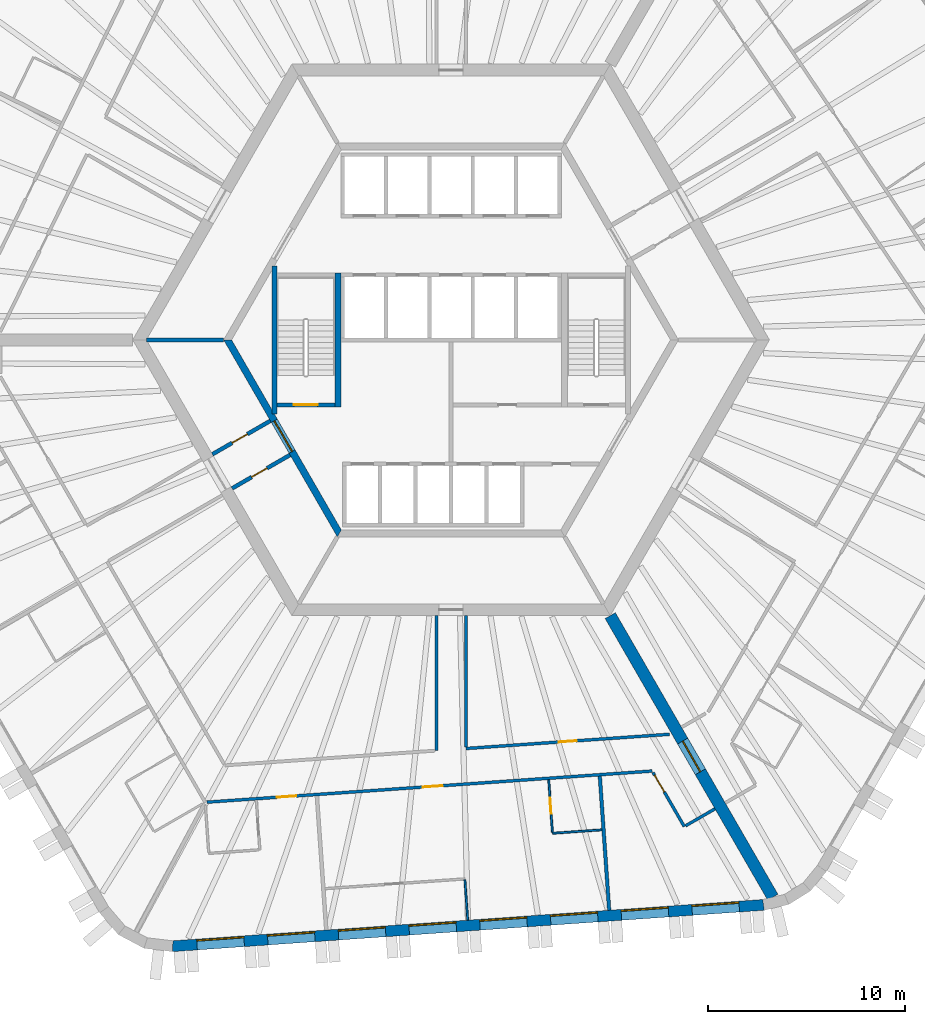
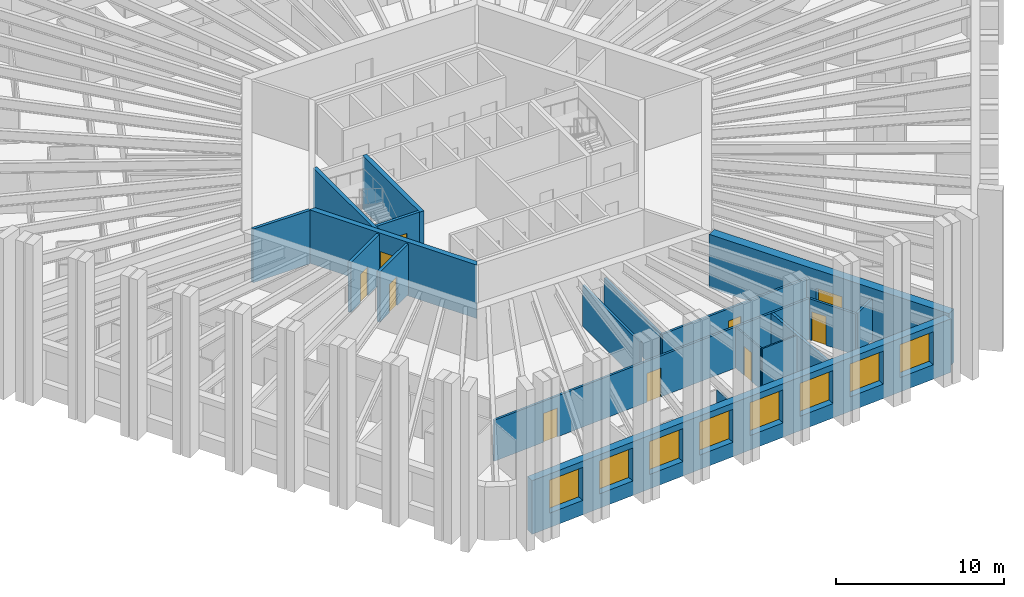
# One storey, part 4 of 12: 19 walls, 10 doors, 8 windows, 18 openings.
"""IFC4 building model written with IfcOpenShell, lengths in metres."""

from ifc_helpers import new_model, si_unit, direction, frame, frame_2d, origin, place, context, subcontext, project, spatial, polyline, rectangle, outline, extrude, material, layer, layer_set, type_object, element, fill, save


model = new_model("IFC4")

# Units and contexts
model_context = context("Model", 3, precision=1e-05, world=origin(), true_north=direction((0.0, 1.0)))
body_context = subcontext(model_context, "Body", "Model", "MODEL_VIEW")
ifc_project = project(units=[si_unit("LENGTHUNIT", "METRE"), si_unit("AREAUNIT", "SQUARE_METRE"), si_unit("VOLUMEUNIT", "CUBIC_METRE"), si_unit("PLANEANGLEUNIT", "RADIAN"), si_unit("MASSUNIT", "GRAM", prefix="KILO")], contexts=[model_context])

# Site, building, storey
site_placement = place(None, origin())
site = spatial("IfcSite", under=ifc_project, at=site_placement, CompositionType="ELEMENT")
building_placement = place(site_placement, origin())
building = spatial("IfcBuilding", under=site, at=building_placement, Name="Tarnside Tower", CompositionType="ELEMENT")
storey_placement = place(building_placement, frame((0.0, 0.0, 49.199951171875)))
storey = spatial("IfcBuildingStorey", under=building, at=storey_placement, Name="L09", CompositionType="ELEMENT", Elevation=49.199951171875)

# Wall
ifc_material_1 = material(Name="Gypsum board partition on steel studs", Category="steel")
ifc_layer_1 = layer(ifc_material_1, 0.10009765625)
ifc_layer_set_1 = layer_set([ifc_layer_1], Name="Bathroom wall 100")
wall_type_1 = type_object("IfcWallType", Name="Bathroom wall 100", PredefinedType="PARTITIONING", material=ifc_layer_set_1)
wall_1_placement = place(storey_placement, frame((7.65283203125, -24.876708984375, 0.0), z_axis=(0.0, 0.0, 1.0), x_axis=(-0.997565196586, -0.069740078583, 0.0)))
element("IfcWall", 1, at=wall_1_placement, inside=storey, type_object=wall_type_1, Name="Bathroom wall 02122", PredefinedType="PARTITIONING", context=body_context, shape_type="SweptSolid", body=[
    extrude(rectangle(XDim=2.510009765625, YDim=0.10009765625, at=frame_2d((1.2548828125, 0.0))), origin(), (0.0, 0.0, 1.0), 2.98779296875),
])

# Wall, opening, door
wall_2_placement = place(storey_placement, frame((5.1455078125, -25.001953125, 0.0), z_axis=(0.0, 0.0, 1.0), x_axis=(-0.069729221413, 0.997565955554, 0.0)))
wall_2 = element("IfcWall", 2, at=wall_2_placement, inside=storey, type_object=wall_type_1, Name="Bathroom wall 02123", PredefinedType="PARTITIONING", context=body_context, shape_type="SweptSolid", body=[
    extrude(rectangle(XDim=2.675048828125, YDim=0.10009765625, at=frame_2d((1.33740234375, 0.0))), origin(), (0.0, 0.0, 1.0), 2.98779296875),
])
opening_1_placement = place(wall_2_placement, frame((0.949951171875, 0.0, 0.0)))
opening_1 = element("IfcOpeningElement", 3, at=opening_1_placement, cuts=wall_2, Name="Opening D-B1", PredefinedType="OPENING", context=body_context, shape_type="SweptSolid", body=[
    extrude(rectangle(XDim=0.800048828125, YDim=2.10009765625, at=frame_2d((0.39990234375, 1.050048828125))), frame((0.0, 0.06005859375, 0.0), z_axis=(0.0, -1.0, 0.0), x_axis=(1.0, 0.0, 0.0)), (0.0, 0.0, 1.0), 0.1201171875),
])
ifc_material_2 = material(Name="Timber door leaf", Category="wood")
door_type_1 = type_object("IfcDoorType", Name="Bathroom door 800", OperationType="NOTDEFINED", PredefinedType="DOOR", material=ifc_material_2)
door_1_placement = place(opening_1_placement, origin())
door_1 = element("IfcDoor", 4, at=door_1_placement, inside=storey, type_object=door_type_1, Name="Bathroom door 02025", OperationType="SINGLE_SWING_RIGHT", OverallHeight=2.10009765625, OverallWidth=0.800048828125, PredefinedType="DOOR", context=body_context, shape_type="SweptSolid", body=[
    extrude(rectangle(XDim=0.800048828125, YDim=2.10009765625, at=frame_2d((0.39990234375, 1.050048828125))), frame((0.0, 0.02490234375, 0.0), z_axis=(0.0, -1.0, 0.0), x_axis=(1.0, 0.0, 0.0)), (0.0, 0.0, 1.0), 0.050048828125),
])
fill(opening_1, door_1)

ifc_material_3 = material(Name="Concrete C50/60", Category="concrete")
ifc_layer_2 = layer(ifc_material_3, 0.35009765625)
ifc_layer_set_2 = layer_set([ifc_layer_2], Name="Core block wall 350 C50/60")
wall_type_2 = type_object("IfcWallType", Name="Core block wall 350 C50/60", PredefinedType="SHEAR", material=ifc_layer_set_2)
wall_3_placement = place(storey_placement, frame((-11.344970703125, 0.0, -0.14990234375), z_axis=(0.0, 0.0, 1.0), x_axis=(0.499995046907, -0.866028263435, 0.0)))
wall_3 = element("IfcWall", 5, at=wall_3_placement, inside=storey, type_object=wall_type_2, Name="L09 core block wall face 3", PredefinedType="SHEAR", context=body_context, shape_type="SweptSolid", body=[
    extrude(outline(polyline([(-0.10107421875, -0.175048828125), (11.44580078125, -0.175048828125), (11.24365234375, 0.175048828125), (0.10107421875, 0.175048828125), (-0.10107421875, -0.175048828125)])), origin(), (0.0, 0.0, 1.0), 3.89990234375),
])
opening_2_placement = place(wall_3_placement, frame((4.74365234375, 0.0, 0.14990234375)))
opening_2 = element("IfcOpeningElement", 6, at=opening_2_placement, cuts=wall_3, Name="Opening CD-FFL", PredefinedType="OPENING", context=body_context, shape_type="SweptSolid", body=[
    extrude(rectangle(XDim=1.800048828125, YDim=2.39990234375, at=frame_2d((0.89990234375, 1.199951171875))), frame((0.0, 0.18505859375, 0.0), z_axis=(0.0, -1.0, 0.0), x_axis=(1.0, 0.0, 0.0)), (0.0, 0.0, 1.0), 0.3701171875),
])
ifc_material_4 = material(Name="Steel fire door", Category="steel")
door_type_2 = type_object("IfcDoorType", Name="Firefighting lobby double door FD60S 1800x2400", OperationType="NOTDEFINED", PredefinedType="DOOR", material=ifc_material_4)
door_2_placement = place(opening_2_placement, origin())
door_2 = element("IfcDoor", 7, at=door_2_placement, inside=storey, type_object=door_type_2, Name="L09 lobby block door P3", OperationType="DOUBLE_DOOR_SINGLE_SWING", OverallHeight=2.39990234375, OverallWidth=1.800048828125, PredefinedType="DOOR", context=body_context, shape_type="SweptSolid", body=[
    extrude(rectangle(XDim=1.800048828125, YDim=2.39990234375, at=frame_2d((0.89990234375, 1.199951171875))), frame((0.0, 0.02490234375, 0.0), z_axis=(0.0, -1.0, 0.0), x_axis=(1.0, 0.0, 0.0)), (0.0, 0.0, 1.0), 0.050048828125),
])
fill(opening_2, door_2)

ifc_material_5 = material(Name="Concrete C40/50", Category="concrete")
ifc_layer_3 = layer(ifc_material_5, 0.199951171875)
ifc_layer_set_3 = layer_set([ifc_layer_3], Name="Core room partition 200 C40/50")
wall_type_3 = type_object("IfcWallType", Name="Core room partition 200 C40/50", PredefinedType="PARTITIONING", material=ifc_layer_set_3)
wall_4_placement = place(storey_placement, frame((-8.1748046875, -5.841064453125, 0.0), z_axis=(0.0, 0.0, 1.0), x_axis=(-0.866020560687, -0.500008388397, 0.0)))
wall_4 = element("IfcWall", 8, at=wall_4_placement, inside=storey, type_object=wall_type_3, Name="L09 core partition AC2L", PredefinedType="PARTITIONING", context=body_context, shape_type="SweptSolid", body=[
    extrude(rectangle(XDim=3.39990234375, YDim=0.199951171875, at=frame_2d((1.699951171875, 0.0))), origin(), (0.0, 0.0, 1.0), 3.650146484375),
])
opening_3_placement = place(wall_4_placement, frame((1.349609375, 0.0, 0.0)))
opening_3 = element("IfcOpeningElement", 9, at=opening_3_placement, cuts=wall_4, Name="Opening CD-room", PredefinedType="OPENING", context=body_context, shape_type="SweptSolid", body=[
    extrude(rectangle(XDim=0.89990234375, YDim=2.10009765625, at=frame_2d((0.449951171875, 1.050048828125))), frame((0.0, 0.10986328125, 0.0), z_axis=(0.0, -1.0, 0.0), x_axis=(1.0, 0.0, 0.0)), (0.0, 0.0, 1.0), 0.219970703125),
])
door_type_3 = type_object("IfcDoorType", Name="Room door FD60 900x2100", OperationType="NOTDEFINED", PredefinedType="DOOR", material=ifc_material_4)
door_3_placement = place(opening_3_placement, origin())
door_3 = element("IfcDoor", 10, at=door_3_placement, inside=storey, type_object=door_type_3, Name="L09 core room door AX2L", OperationType="SINGLE_SWING_LEFT", OverallHeight=2.10009765625, OverallWidth=0.89990234375, PredefinedType="DOOR", context=body_context, shape_type="SweptSolid", body=[
    extrude(rectangle(XDim=0.89990234375, YDim=2.10009765625, at=frame_2d((0.449951171875, 1.050048828125))), frame((0.0, 0.02490234375, 0.0), z_axis=(0.0, -1.0, 0.0), x_axis=(1.0, 0.0, 0.0)), (0.0, 0.0, 1.0), 0.050048828125),
])
fill(opening_3, door_3)

wall_5_placement = place(storey_placement, frame((-9.1748046875, -4.10888671875, 0.0), z_axis=(0.0, 0.0, 1.0), x_axis=(-0.865989465428, -0.500062241894, 0.0)))
wall_5 = element("IfcWall", 11, at=wall_5_placement, inside=storey, type_object=wall_type_3, Name="L09 core partition AC2R", PredefinedType="PARTITIONING", context=body_context, shape_type="SweptSolid", body=[
    extrude(rectangle(XDim=3.39990234375, YDim=0.199951171875, at=frame_2d((1.699951171875, 0.0))), origin(), (0.0, 0.0, 1.0), 3.650146484375),
])
opening_4_placement = place(wall_5_placement, frame((1.3505859375, 0.0, 0.0)))
opening_4 = element("IfcOpeningElement", 12, at=opening_4_placement, cuts=wall_5, Name="Opening CD-room", PredefinedType="OPENING", context=body_context, shape_type="SweptSolid", body=[
    extrude(rectangle(XDim=0.89990234375, YDim=2.10009765625, at=frame_2d((0.449951171875, 1.050048828125))), frame((0.0, 0.10986328125, 0.0), z_axis=(0.0, -1.0, 0.0), x_axis=(1.0, 0.0, 0.0)), (0.0, 0.0, 1.0), 0.219970703125),
])
door_4_placement = place(opening_4_placement, origin())
door_4 = element("IfcDoor", 13, at=door_4_placement, inside=storey, type_object=door_type_3, Name="L09 core room door AX2R", OperationType="SINGLE_SWING_LEFT", OverallHeight=2.10009765625, OverallWidth=0.89990234375, PredefinedType="DOOR", context=body_context, shape_type="SweptSolid", body=[
    extrude(rectangle(XDim=0.89990234375, YDim=2.10009765625, at=frame_2d((0.449951171875, 1.050048828125))), frame((0.0, 0.02490234375, 0.0), z_axis=(0.0, -1.0, 0.0), x_axis=(1.0, 0.0, 0.0)), (0.0, 0.0, 1.0), 0.050048828125),
])
fill(opening_4, door_4)

ifc_material_6 = material(Name="Concrete C80/95", Category="concrete")
ifc_layer_4 = layer(ifc_material_6, 0.60009765625)
ifc_layer_set_4 = layer_set([ifc_layer_4], Name="Core wall Z1 600 C80/95")
wall_type_4 = type_object("IfcWallType", Name="Core wall Z1 600 C80/95", PredefinedType="SHEAR", material=ifc_layer_set_4)
wall_6_placement = place(storey_placement, frame((8.0830078125, -14.0, -0.14990234375), z_axis=(0.0, 0.0, 1.0), x_axis=(0.499997680643, -0.866026742862, 0.0)))
wall_6 = element("IfcWall", 14, at=wall_6_placement, inside=storey, type_object=wall_type_4, Name="L09 spine wall 3", PredefinedType="SHEAR", context=body_context, shape_type="SweptSolid", body=[
    extrude(rectangle(XDim=16.5087890625, YDim=0.60009765625, at=frame_2d((8.25439453125, 0.0))), origin(), (0.0, 0.0, 1.0), 3.89990234375),
])
opening_5_placement = place(wall_6_placement, frame((7.3544921875, 0.0, 0.14990234375)))
opening_5 = element("IfcOpeningElement", 15, at=opening_5_placement, cuts=wall_6, Name="Opening CD-SPN", PredefinedType="OPENING", context=body_context, shape_type="SweptSolid", body=[
    extrude(rectangle(XDim=1.800048828125, YDim=2.39990234375, at=frame_2d((0.89990234375, 1.199951171875))), frame((0.0, 0.31005859375, 0.0), z_axis=(0.0, -1.0, 0.0), x_axis=(1.0, 0.0, 0.0)), (0.0, 0.0, 1.0), 0.6201171875),
])
door_type_4 = type_object("IfcDoorType", Name="Spine passage double door FD60 1800x2400", OperationType="NOTDEFINED", PredefinedType="DOOR", material=ifc_material_4)
door_5_placement = place(opening_5_placement, origin())
door_5 = element("IfcDoor", 16, at=door_5_placement, inside=storey, type_object=door_type_4, Name="L09 spine passage door 3", OperationType="DOUBLE_DOOR_SINGLE_SWING", OverallHeight=2.39990234375, OverallWidth=1.800048828125, PredefinedType="DOOR", context=body_context, shape_type="SweptSolid", body=[
    extrude(rectangle(XDim=1.800048828125, YDim=2.39990234375, at=frame_2d((0.89990234375, 1.199951171875))), frame((0.0, 0.02490234375, 0.0), z_axis=(0.0, -1.0, 0.0), x_axis=(1.0, 0.0, 0.0)), (0.0, 0.0, 1.0), 0.050048828125),
])
fill(opening_5, door_5)

# Wall, openings, doors
ifc_layer_5 = layer(ifc_material_1, 0.14990234375)
ifc_layer_set_5 = layer_set([ifc_layer_5], Name="Corridor wall 150 EI 60")
wall_type_5 = type_object("IfcWallType", Name="Corridor wall 150 EI 60", PredefinedType="PARTITIONING", material=ifc_layer_set_5)
wall_7_placement = place(storey_placement, frame((-12.400146484375, -23.47216796875, 0.0), z_axis=(0.0, 0.0, 1.0), x_axis=(0.997564133303, 0.069755286163, 0.0)))
wall_7 = element("IfcWall", 17, at=wall_7_placement, inside=storey, type_object=wall_type_5, Name="Corridor wall 02032", PredefinedType="PARTITIONING", context=body_context, shape_type="SweptSolid", body=[
    extrude(rectangle(XDim=22.669189453125, YDim=0.14990234375, at=frame_2d((11.33447265625, 0.0))), origin(), (0.0, 0.0, 1.0), 2.98779296875),
])
opening_6_placement = place(wall_7_placement, frame((3.556396484375, 0.0, 0.0)))
opening_6 = element("IfcOpeningElement", 18, at=opening_6_placement, cuts=wall_7, Name="Opening D-E1", PredefinedType="OPENING", context=body_context, shape_type="SweptSolid", body=[
    extrude(rectangle(XDim=1.0, YDim=2.10009765625, at=frame_2d((0.5, 1.050048828125))), frame((0.0, 0.0849609375, 0.0), z_axis=(0.0, -1.0, 0.0), x_axis=(1.0, 0.0, 0.0)), (0.0, 0.0, 1.0), 0.169921875),
])
opening_7_placement = place(wall_7_placement, frame((10.996337890625, 0.0, 0.0)))
opening_7 = element("IfcOpeningElement", 19, at=opening_7_placement, cuts=wall_7, Name="Opening D-E1", PredefinedType="OPENING", context=body_context, shape_type="SweptSolid", body=[
    extrude(rectangle(XDim=1.0, YDim=2.10009765625, at=frame_2d((0.5, 1.050048828125))), frame((0.0, 0.0849609375, 0.0), z_axis=(0.0, -1.0, 0.0), x_axis=(1.0, 0.0, 0.0)), (0.0, 0.0, 1.0), 0.169921875),
])
door_type_5 = type_object("IfcDoorType", Name="Unit entrance door 1000 FD30S", OperationType="NOTDEFINED", PredefinedType="DOOR", material=ifc_material_2)
door_6_placement = place(opening_6_placement, origin())
door_6 = element("IfcDoor", 20, at=door_6_placement, inside=storey, type_object=door_type_5, Name="Unit door 02022", OperationType="SINGLE_SWING_LEFT", OverallHeight=2.10009765625, OverallWidth=1.0, PredefinedType="DOOR", context=body_context, shape_type="SweptSolid", body=[
    extrude(rectangle(XDim=1.0, YDim=2.10009765625, at=frame_2d((0.5, 1.050048828125))), frame((0.0, 0.02490234375, 0.0), z_axis=(0.0, -1.0, 0.0), x_axis=(1.0, 0.0, 0.0)), (0.0, 0.0, 1.0), 0.050048828125),
])
fill(opening_6, door_6)
door_7_placement = place(opening_7_placement, origin())
door_7 = element("IfcDoor", 21, at=door_7_placement, inside=storey, type_object=door_type_5, Name="Unit door 02024", OperationType="SINGLE_SWING_RIGHT", OverallHeight=2.10009765625, OverallWidth=1.0, PredefinedType="DOOR", context=body_context, shape_type="SweptSolid", body=[
    extrude(rectangle(XDim=1.0, YDim=2.10009765625, at=frame_2d((0.5, 1.050048828125))), frame((0.0, 0.02490234375, 0.0), z_axis=(0.0, -1.0, 0.0), x_axis=(1.0, 0.0, 0.0)), (0.0, 0.0, 1.0), 0.050048828125),
])
fill(opening_7, door_7)

# Wall, opening, door
wall_8_placement = place(storey_placement, frame((10.255615234375, -21.963134765625, 0.0), z_axis=(0.0, 0.0, 1.0), x_axis=(0.499980071345, -0.866036909293, 0.0)))
wall_8 = element("IfcWall", 22, at=wall_8_placement, inside=storey, type_object=wall_type_5, Name="Corridor wall 02037", PredefinedType="PARTITIONING", context=body_context, shape_type="SweptSolid", body=[
    extrude(rectangle(XDim=3.172119140625, YDim=0.14990234375, at=frame_2d((1.5859375, 0.0))), origin(), (0.0, 0.0, 1.0), 2.98779296875),
])
opening_8_placement = place(wall_8_placement, frame((0.14990234375, 0.0, 0.0)))
opening_8 = element("IfcOpeningElement", 23, at=opening_8_placement, cuts=wall_8, Name="Opening D-E1", PredefinedType="OPENING", context=body_context, shape_type="SweptSolid", body=[
    extrude(rectangle(XDim=1.0, YDim=2.10009765625, at=frame_2d((0.5, 1.050048828125))), frame((0.0, 0.0849609375, 0.0), z_axis=(0.0, -1.0, 0.0), x_axis=(1.0, 0.0, 0.0)), (0.0, 0.0, 1.0), 0.169921875),
])
door_8_placement = place(opening_8_placement, origin())
door_8 = element("IfcDoor", 24, at=door_8_placement, inside=storey, type_object=door_type_5, Name="Unit door 02027", OperationType="SINGLE_SWING_RIGHT", OverallHeight=2.10009765625, OverallWidth=1.0, PredefinedType="DOOR", context=body_context, shape_type="SweptSolid", body=[
    extrude(rectangle(XDim=1.0, YDim=2.10009765625, at=frame_2d((0.5, 1.050048828125))), frame((0.0, 0.02490234375, 0.0), z_axis=(0.0, -1.0, 0.0), x_axis=(1.0, 0.0, 0.0)), (0.0, 0.0, 1.0), 0.050048828125),
])
fill(opening_8, door_8)

# Walls
wall_9_placement = place(storey_placement, frame((11.906494140625, -24.672607421875, 0.0), z_axis=(0.0, 0.0, 1.0), x_axis=(0.866013532718, 0.500020560727, 0.0)))
element("IfcWall", 25, at=wall_9_placement, inside=storey, type_object=wall_type_5, Name="Corridor wall 02038", PredefinedType="PARTITIONING", context=body_context, shape_type="SweptSolid", body=[
    extrude(rectangle(XDim=1.72509765625, YDim=0.14990234375, at=frame_2d((0.862548828125, 0.0))), origin(), (0.0, 0.0, 1.0), 2.98779296875),
])
wall_10_placement = place(storey_placement, frame((-0.75, -14.0, 0.0), z_axis=(0.0, 0.0, 1.0), x_axis=(0.0, -1.0, 0.0)))
element("IfcWall", 26, at=wall_10_placement, inside=storey, type_object=wall_type_5, Name="Corridor wall 02042", PredefinedType="PARTITIONING", context=body_context, shape_type="SweptSolid", body=[
    extrude(rectangle(XDim=6.85302734375, YDim=0.14990234375, at=frame_2d((3.426513671875, 0.0))), origin(), (0.0, 0.0, 1.0), 2.98779296875),
])

# Wall, opening, door
wall_11_placement = place(storey_placement, frame((11.088134765625, -20.025390625, 0.0), z_axis=(0.0, 0.0, 1.0), x_axis=(-0.997564133621, -0.069755281607, 0.0)))
wall_11 = element("IfcWall", 27, at=wall_11_placement, inside=storey, type_object=wall_type_5, Name="Corridor wall 02046", PredefinedType="PARTITIONING", context=body_context, shape_type="SweptSolid", body=[
    extrude(rectangle(XDim=10.36328125, YDim=0.14990234375, at=frame_2d((5.181640625, 0.0))), origin(), (0.0, 0.0, 1.0), 2.98779296875),
])
opening_9_placement = place(wall_11_placement, frame((4.731689453125, 0.0, 0.0)))
opening_9 = element("IfcOpeningElement", 28, at=opening_9_placement, cuts=wall_11, Name="Opening D-S1", PredefinedType="OPENING", context=body_context, shape_type="SweptSolid", body=[
    extrude(rectangle(XDim=0.89990234375, YDim=2.10009765625, at=frame_2d((0.449951171875, 1.050048828125))), frame((0.0, 0.0849609375, 0.0), z_axis=(0.0, -1.0, 0.0), x_axis=(1.0, 0.0, 0.0)), (0.0, 0.0, 1.0), 0.169921875),
])
door_type_6 = type_object("IfcDoorType", Name="Service room door 900 FD30S", OperationType="NOTDEFINED", PredefinedType="DOOR", material=ifc_material_2)
door_9_placement = place(opening_9_placement, origin())
door_9 = element("IfcDoor", 29, at=door_9_placement, inside=storey, type_object=door_type_6, Name="Service door 02046", OperationType="SINGLE_SWING_LEFT", OverallHeight=2.10009765625, OverallWidth=0.89990234375, PredefinedType="DOOR", context=body_context, shape_type="SweptSolid", body=[
    extrude(rectangle(XDim=0.89990234375, YDim=2.10009765625, at=frame_2d((0.449951171875, 1.050048828125))), frame((0.0, 0.02490234375, 0.0), z_axis=(0.0, -1.0, 0.0), x_axis=(1.0, 0.0, 0.0)), (0.0, 0.0, 1.0), 0.050048828125),
])
fill(opening_9, door_9)

# Walls
wall_12_placement = place(storey_placement, frame((0.75, -20.673095703125, 0.0), z_axis=(0.0, 0.0, 1.0), x_axis=(0.0, 1.0, 0.0)))
element("IfcWall", 30, at=wall_12_placement, inside=storey, type_object=wall_type_5, Name="Corridor wall 02047", PredefinedType="PARTITIONING", context=body_context, shape_type="SweptSolid", body=[
    extrude(rectangle(XDim=6.673095703125, YDim=0.14990234375, at=frame_2d((3.33642578125, 0.0))), origin(), (0.0, 0.0, 1.0), 2.98779296875),
])
ifc_layer_6 = layer(ifc_material_1, 0.179931640625)
ifc_layer_set_6 = layer_set([ifc_layer_6], Name="Demising wall 180 EI 60")
wall_type_6 = type_object("IfcWallType", Name="Demising wall 180 EI 60", PredefinedType="PARTITIONING", material=ifc_layer_set_6)
wall_13_placement = place(storey_placement, frame((8.028564453125, -28.96044921875, 0.0), z_axis=(0.0, 0.0, 1.0), x_axis=(-0.069754729296, 0.997564172242, 0.0)))
element("IfcWall", 31, at=wall_13_placement, inside=storey, type_object=wall_type_6, Name="Demising wall 02126", PredefinedType="PARTITIONING", context=body_context, shape_type="SweptSolid", body=[
    extrude(rectangle(XDim=6.824951171875, YDim=0.179931640625, at=frame_2d((3.41259765625, 0.0))), origin(), (0.0, 0.0, 1.0), 2.98779296875),
])
ifc_layer_7 = layer(ifc_material_5, 0.199951171875)
ifc_layer_set_7 = layer_set([ifc_layer_7], Name="Lift shaft wall 200 C40/50")
wall_type_7 = type_object("IfcWallType", Name="Lift shaft wall 200 C40/50", PredefinedType="SHEAR", material=ifc_layer_set_7)
wall_14_placement = place(storey_placement, frame((-11.547119140625, 0.0, -0.14990234375), z_axis=(0.0, 0.0, 1.0), x_axis=(-1.0, 0.0, 0.0)))
element("IfcWall", 32, at=wall_14_placement, inside=storey, type_object=wall_type_7, Name="L09 core partition AR180", PredefinedType="SHEAR", context=body_context, shape_type="SweptSolid", body=[
    extrude(rectangle(XDim=3.92578125, YDim=0.199951171875, at=frame_2d((1.962890625, 0.0))), origin(), (0.0, 0.0, 1.0), 3.89990234375),
])

# Wall, opening, door
wall_15_placement = place(storey_placement, frame((-8.85009765625, -3.300048828125, -0.25), z_axis=(0.0, 0.0, 1.0), x_axis=(1.0, 0.0, 0.0)))
wall_15 = element("IfcWall", 33, at=wall_15_placement, inside=storey, type_object=wall_type_7, Name="L09 stair 2 enclosure cap wall s", PredefinedType="SHEAR", context=body_context, shape_type="SweptSolid", body=[
    extrude(rectangle(XDim=2.9501953125, YDim=0.199951171875, at=frame_2d((1.47509765625, 0.0))), origin(), (0.0, 0.0, 1.0), 3.900146484375),
])
opening_10_placement = place(wall_15_placement, frame((0.875, 0.0, 0.25)))
opening_10 = element("IfcOpeningElement", 34, at=opening_10_placement, cuts=wall_15, Name="Opening CD-STR", PredefinedType="OPENING", context=body_context, shape_type="SweptSolid", body=[
    extrude(rectangle(XDim=1.199951171875, YDim=2.39990234375, at=frame_2d((0.60009765625, 1.199951171875))), frame((0.0, 0.10986328125, 0.0), z_axis=(0.0, -1.0, 0.0), x_axis=(1.0, 0.0, 0.0)), (0.0, 0.0, 1.0), 0.219970703125),
])
door_type_7 = type_object("IfcDoorType", Name="Stair door FD60S 1200x2400", OperationType="NOTDEFINED", PredefinedType="DOOR", material=ifc_material_4)
door_10_placement = place(opening_10_placement, origin())
door_10 = element("IfcDoor", 35, at=door_10_placement, inside=storey, type_object=door_type_7, Name="L09 stair 2 door", OperationType="SINGLE_SWING_LEFT", OverallHeight=2.39990234375, OverallWidth=1.199951171875, PredefinedType="DOOR", context=body_context, shape_type="SweptSolid", body=[
    extrude(rectangle(XDim=1.199951171875, YDim=2.39990234375, at=frame_2d((0.60009765625, 1.199951171875))), frame((0.0, 0.02490234375, 0.0), z_axis=(0.0, -1.0, 0.0), x_axis=(1.0, 0.0, 0.0)), (0.0, 0.0, 1.0), 0.050048828125),
])
fill(opening_10, door_10)

# Walls
ifc_layer_8 = layer(ifc_material_1, 0.10009765625)
ifc_layer_set_8 = layer_set([ifc_layer_8], Name="Partition 100")
wall_type_8 = type_object("IfcWallType", Name="Partition 100", PredefinedType="PARTITIONING", material=ifc_layer_set_8)
wall_16_placement = place(storey_placement, frame((0.703125, -27.417724609375, 0.0), z_axis=(0.0, 0.0, 1.0), x_axis=(0.069791202247, -0.997561621199, 0.0)))
element("IfcWall", 36, at=wall_16_placement, inside=storey, type_object=wall_type_8, Name="Partition wall 02125", PredefinedType="PARTITIONING", context=body_context, shape_type="SweptSolid", body=[
    extrude(rectangle(XDim=2.0498046875, YDim=0.10009765625, at=frame_2d((1.02490234375, 0.0))), origin(), (0.0, 0.0, 1.0), 2.98779296875),
])
ifc_layer_9 = layer(ifc_material_5, 0.25)
ifc_layer_set_9 = layer_set([ifc_layer_9], Name="Stair enclosure wall 250 C40/50")
wall_type_9 = type_object("IfcWallType", Name="Stair enclosure wall 250 C40/50", PredefinedType="SHEAR", material=ifc_layer_set_9)
wall_17_placement = place(storey_placement, frame((-8.97509765625, -3.7548828125, -0.25), z_axis=(0.0, 0.0, 1.0), x_axis=(0.0, 1.0, 0.0)))
element("IfcWall", 37, at=wall_17_placement, inside=storey, type_object=wall_type_9, Name="L09 stair 2 enclosure wall outer", PredefinedType="SHEAR", context=body_context, shape_type="SweptSolid", body=[
    extrude(rectangle(XDim=7.509765625, YDim=0.25, at=frame_2d((3.7548828125, 0.0))), origin(), (0.0, 0.0, 1.0), 3.900146484375),
])
ifc_layer_10 = layer(ifc_material_5, 0.300048828125)
ifc_layer_set_10 = layer_set([ifc_layer_10], Name="Stair enclosure wall 300 C40/50")
wall_type_10 = type_object("IfcWallType", Name="Stair enclosure wall 300 C40/50", PredefinedType="SHEAR", material=ifc_layer_set_10)
wall_18_placement = place(storey_placement, frame((-5.75, -3.39990234375, -0.25), z_axis=(0.0, 0.0, 1.0), x_axis=(0.0, 1.0, 0.0)))
element("IfcWall", 38, at=wall_18_placement, inside=storey, type_object=wall_type_10, Name="L09 stair 2 enclosure wall inner", PredefinedType="SHEAR", context=body_context, shape_type="SweptSolid", body=[
    extrude(rectangle(XDim=6.7998046875, YDim=0.300048828125, at=frame_2d((3.39990234375, 0.0))), origin(), (0.0, 0.0, 1.0), 3.900146484375),
])

# Wall, openings, windows
ifc_material_7 = material(Name="Facing brick", Category="masonry")
ifc_layer_11 = layer(ifc_material_7, 0.10205078125)
ifc_material_8 = material(Name="Concrete C60/75 precast", Category="concrete")
ifc_layer_12 = layer(ifc_material_8, 0.347900390625)
ifc_material_9 = material(Name="Mineral wool insulation")
ifc_layer_13 = layer(ifc_material_9, 0.10009765625)
ifc_layer_set_11 = layer_set([ifc_layer_11, ifc_layer_12, ifc_layer_13], Name="Tube wall 550 brick faced")
wall_type_11 = type_object("IfcWallType", Name="Tube wall 550 brick faced", PredefinedType="SOLIDWALL", material=ifc_layer_set_11)
wall_19_placement = place(storey_placement, frame((-14.133544921875, -30.785888671875, -0.14990234375), z_axis=(0.0, 0.0, 1.0), x_axis=(0.997564037441, 0.069756657061, 0.0)))
wall_19 = element("IfcWall", 39, at=wall_19_placement, inside=storey, type_object=wall_type_11, Name="Tube wall L09 F4 flush 12", PredefinedType="SOLIDWALL", context=body_context, shape_type="SweptSolid", body=[
    extrude(outline(polyline([(-0.025634765625, -0.27490234375), (30.093505859375, -0.27490234375), (30.048583984375, 0.27490234375), (0.025634765625, 0.27490234375), (-0.025634765625, -0.27490234375)])), origin(), (0.0, 0.0, 1.0), 3.89990234375),
])
opening_11_placement = place(wall_19_placement, frame((1.235595703125, 0.0, 1.050048828125)))
opening_11 = element("IfcOpeningElement", 40, at=opening_11_placement, cuts=wall_19, Name="Opening WH", PredefinedType="OPENING", context=body_context, shape_type="SweptSolid", body=[
    extrude(rectangle(XDim=2.39990234375, YDim=2.39990234375, at=frame_2d((1.199951171875, 1.199951171875))), frame((0.0, 0.28515625, 0.0), z_axis=(0.0, -1.0, 0.0), x_axis=(1.0, 0.0, 0.0)), (0.0, 0.0, 1.0), 0.570068359375),
])
opening_12_placement = place(wall_19_placement, frame((4.83544921875, 0.0, 1.050048828125)))
opening_12 = element("IfcOpeningElement", 41, at=opening_12_placement, cuts=wall_19, Name="Opening WH", PredefinedType="OPENING", context=body_context, shape_type="SweptSolid", body=[
    extrude(rectangle(XDim=2.39990234375, YDim=2.39990234375, at=frame_2d((1.199951171875, 1.199951171875))), frame((0.0, 0.28515625, 0.0), z_axis=(0.0, -1.0, 0.0), x_axis=(1.0, 0.0, 0.0)), (0.0, 0.0, 1.0), 0.570068359375),
])
opening_13_placement = place(wall_19_placement, frame((8.435546875, 0.0, 1.050048828125)))
opening_13 = element("IfcOpeningElement", 42, at=opening_13_placement, cuts=wall_19, Name="Opening WH", PredefinedType="OPENING", context=body_context, shape_type="SweptSolid", body=[
    extrude(rectangle(XDim=2.39990234375, YDim=2.39990234375, at=frame_2d((1.199951171875, 1.199951171875))), frame((0.0, 0.28515625, 0.0), z_axis=(0.0, -1.0, 0.0), x_axis=(1.0, 0.0, 0.0)), (0.0, 0.0, 1.0), 0.570068359375),
])
opening_14_placement = place(wall_19_placement, frame((12.035400390625, 0.0, 1.050048828125)))
opening_14 = element("IfcOpeningElement", 43, at=opening_14_placement, cuts=wall_19, Name="Opening WH", PredefinedType="OPENING", context=body_context, shape_type="SweptSolid", body=[
    extrude(rectangle(XDim=2.39990234375, YDim=2.39990234375, at=frame_2d((1.199951171875, 1.199951171875))), frame((0.0, 0.28515625, 0.0), z_axis=(0.0, -1.0, 0.0), x_axis=(1.0, 0.0, 0.0)), (0.0, 0.0, 1.0), 0.570068359375),
])
opening_15_placement = place(wall_19_placement, frame((15.635498046875, 0.0, 1.050048828125)))
opening_15 = element("IfcOpeningElement", 44, at=opening_15_placement, cuts=wall_19, Name="Opening WH", PredefinedType="OPENING", context=body_context, shape_type="SweptSolid", body=[
    extrude(rectangle(XDim=2.39990234375, YDim=2.39990234375, at=frame_2d((1.199951171875, 1.199951171875))), frame((0.0, 0.28515625, 0.0), z_axis=(0.0, -1.0, 0.0), x_axis=(1.0, 0.0, 0.0)), (0.0, 0.0, 1.0), 0.570068359375),
])
opening_16_placement = place(wall_19_placement, frame((19.235595703125, 0.0, 1.050048828125)))
opening_16 = element("IfcOpeningElement", 45, at=opening_16_placement, cuts=wall_19, Name="Opening WH", PredefinedType="OPENING", context=body_context, shape_type="SweptSolid", body=[
    extrude(rectangle(XDim=2.39990234375, YDim=2.39990234375, at=frame_2d((1.199951171875, 1.199951171875))), frame((0.0, 0.28515625, 0.0), z_axis=(0.0, -1.0, 0.0), x_axis=(1.0, 0.0, 0.0)), (0.0, 0.0, 1.0), 0.570068359375),
])
opening_17_placement = place(wall_19_placement, frame((22.83544921875, 0.0, 1.050048828125)))
opening_17 = element("IfcOpeningElement", 46, at=opening_17_placement, cuts=wall_19, Name="Opening WH", PredefinedType="OPENING", context=body_context, shape_type="SweptSolid", body=[
    extrude(rectangle(XDim=2.39990234375, YDim=2.39990234375, at=frame_2d((1.199951171875, 1.199951171875))), frame((0.0, 0.28515625, 0.0), z_axis=(0.0, -1.0, 0.0), x_axis=(1.0, 0.0, 0.0)), (0.0, 0.0, 1.0), 0.570068359375),
])
opening_18_placement = place(wall_19_placement, frame((26.435546875, 0.0, 1.050048828125)))
opening_18 = element("IfcOpeningElement", 47, at=opening_18_placement, cuts=wall_19, Name="Opening WH", PredefinedType="OPENING", context=body_context, shape_type="SweptSolid", body=[
    extrude(rectangle(XDim=2.39990234375, YDim=2.39990234375, at=frame_2d((1.199951171875, 1.199951171875))), frame((0.0, 0.28515625, 0.0), z_axis=(0.0, -1.0, 0.0), x_axis=(1.0, 0.0, 0.0)), (0.0, 0.0, 1.0), 0.570068359375),
])
ifc_material_10 = material(Name="Aluminium-framed double glazing", Category="aluminium")
window_type = type_object("IfcWindowType", Name="Hotel window 2400 x 2400", PartitioningType="DOUBLE_PANEL_VERTICAL", PredefinedType="WINDOW", material=ifc_material_10)
window_1_placement = place(opening_11_placement, frame((0.0, 0.205078125, 0.0)))
window_1 = element("IfcWindow", 48, at=window_1_placement, inside=storey, type_object=window_type, Name="E.WN.L09.F4.00", OverallHeight=2.39990234375, OverallWidth=2.39990234375, PartitioningType="DOUBLE_PANEL_VERTICAL", PredefinedType="WINDOW", context=body_context, shape_type="SweptSolid", body=[
    extrude(rectangle(XDim=2.39990234375, YDim=2.39990234375, at=frame_2d((1.199951171875, 1.199951171875))), frame((0.0, 0.030029296875, 0.0), z_axis=(0.0, -1.0, 0.0), x_axis=(1.0, 0.0, 0.0)), (0.0, 0.0, 1.0), 0.06005859375),
])
fill(opening_11, window_1)
window_2_placement = place(opening_12_placement, frame((0.0, 0.205078125, 0.0)))
window_2 = element("IfcWindow", 49, at=window_2_placement, inside=storey, type_object=window_type, Name="E.WN.L09.F4.01", OverallHeight=2.39990234375, OverallWidth=2.39990234375, PartitioningType="DOUBLE_PANEL_VERTICAL", PredefinedType="WINDOW", context=body_context, shape_type="SweptSolid", body=[
    extrude(rectangle(XDim=2.39990234375, YDim=2.39990234375, at=frame_2d((1.199951171875, 1.199951171875))), frame((0.0, 0.030029296875, 0.0), z_axis=(0.0, -1.0, 0.0), x_axis=(1.0, 0.0, 0.0)), (0.0, 0.0, 1.0), 0.06005859375),
])
fill(opening_12, window_2)
window_3_placement = place(opening_13_placement, frame((0.0, 0.205078125, 0.0)))
window_3 = element("IfcWindow", 50, at=window_3_placement, inside=storey, type_object=window_type, Name="E.WN.L09.F4.02", OverallHeight=2.39990234375, OverallWidth=2.39990234375, PartitioningType="DOUBLE_PANEL_VERTICAL", PredefinedType="WINDOW", context=body_context, shape_type="SweptSolid", body=[
    extrude(rectangle(XDim=2.39990234375, YDim=2.39990234375, at=frame_2d((1.199951171875, 1.199951171875))), frame((0.0, 0.030029296875, 0.0), z_axis=(0.0, -1.0, 0.0), x_axis=(1.0, 0.0, 0.0)), (0.0, 0.0, 1.0), 0.06005859375),
])
fill(opening_13, window_3)
window_4_placement = place(opening_14_placement, frame((0.0, 0.205078125, 0.0)))
window_4 = element("IfcWindow", 51, at=window_4_placement, inside=storey, type_object=window_type, Name="E.WN.L09.F4.03", OverallHeight=2.39990234375, OverallWidth=2.39990234375, PartitioningType="DOUBLE_PANEL_VERTICAL", PredefinedType="WINDOW", context=body_context, shape_type="SweptSolid", body=[
    extrude(rectangle(XDim=2.39990234375, YDim=2.39990234375, at=frame_2d((1.199951171875, 1.199951171875))), frame((0.0, 0.030029296875, 0.0), z_axis=(0.0, -1.0, 0.0), x_axis=(1.0, 0.0, 0.0)), (0.0, 0.0, 1.0), 0.06005859375),
])
fill(opening_14, window_4)
window_5_placement = place(opening_15_placement, frame((0.0, 0.205078125, 0.0)))
window_5 = element("IfcWindow", 52, at=window_5_placement, inside=storey, type_object=window_type, Name="E.WN.L09.F4.04", OverallHeight=2.39990234375, OverallWidth=2.39990234375, PartitioningType="DOUBLE_PANEL_VERTICAL", PredefinedType="WINDOW", context=body_context, shape_type="SweptSolid", body=[
    extrude(rectangle(XDim=2.39990234375, YDim=2.39990234375, at=frame_2d((1.199951171875, 1.199951171875))), frame((0.0, 0.030029296875, 0.0), z_axis=(0.0, -1.0, 0.0), x_axis=(1.0, 0.0, 0.0)), (0.0, 0.0, 1.0), 0.06005859375),
])
fill(opening_15, window_5)
window_6_placement = place(opening_16_placement, frame((0.0, 0.205078125, 0.0)))
window_6 = element("IfcWindow", 53, at=window_6_placement, inside=storey, type_object=window_type, Name="E.WN.L09.F4.05", OverallHeight=2.39990234375, OverallWidth=2.39990234375, PartitioningType="DOUBLE_PANEL_VERTICAL", PredefinedType="WINDOW", context=body_context, shape_type="SweptSolid", body=[
    extrude(rectangle(XDim=2.39990234375, YDim=2.39990234375, at=frame_2d((1.199951171875, 1.199951171875))), frame((0.0, 0.030029296875, 0.0), z_axis=(0.0, -1.0, 0.0), x_axis=(1.0, 0.0, 0.0)), (0.0, 0.0, 1.0), 0.06005859375),
])
fill(opening_16, window_6)
window_7_placement = place(opening_17_placement, frame((0.0, 0.205078125, 0.0)))
window_7 = element("IfcWindow", 54, at=window_7_placement, inside=storey, type_object=window_type, Name="E.WN.L09.F4.06", OverallHeight=2.39990234375, OverallWidth=2.39990234375, PartitioningType="DOUBLE_PANEL_VERTICAL", PredefinedType="WINDOW", context=body_context, shape_type="SweptSolid", body=[
    extrude(rectangle(XDim=2.39990234375, YDim=2.39990234375, at=frame_2d((1.199951171875, 1.199951171875))), frame((0.0, 0.030029296875, 0.0), z_axis=(0.0, -1.0, 0.0), x_axis=(1.0, 0.0, 0.0)), (0.0, 0.0, 1.0), 0.06005859375),
])
fill(opening_17, window_7)
window_8_placement = place(opening_18_placement, frame((0.0, 0.205078125, 0.0)))
window_8 = element("IfcWindow", 55, at=window_8_placement, inside=storey, type_object=window_type, Name="E.WN.L09.F4.07", OverallHeight=2.39990234375, OverallWidth=2.39990234375, PartitioningType="DOUBLE_PANEL_VERTICAL", PredefinedType="WINDOW", context=body_context, shape_type="SweptSolid", body=[
    extrude(rectangle(XDim=2.39990234375, YDim=2.39990234375, at=frame_2d((1.199951171875, 1.199951171875))), frame((0.0, 0.030029296875, 0.0), z_axis=(0.0, -1.0, 0.0), x_axis=(1.0, 0.0, 0.0)), (0.0, 0.0, 1.0), 0.06005859375),
])
fill(opening_18, window_8)

save(model, "model.ifc")
